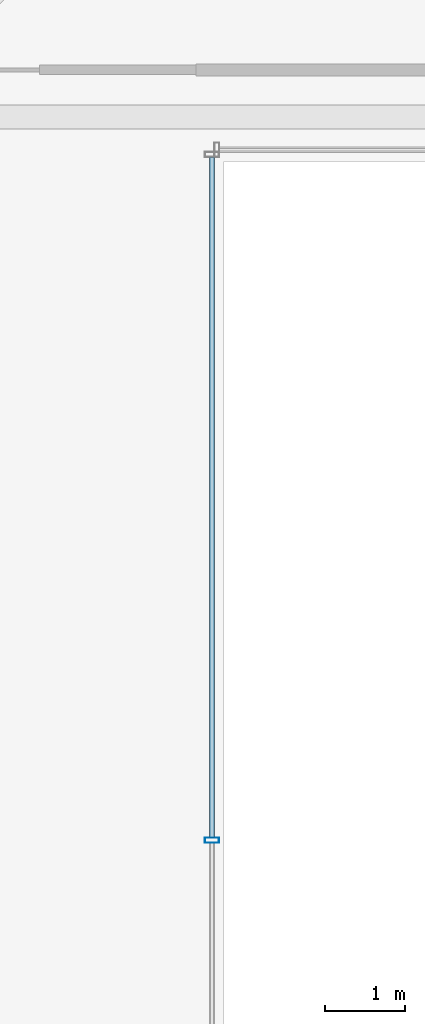
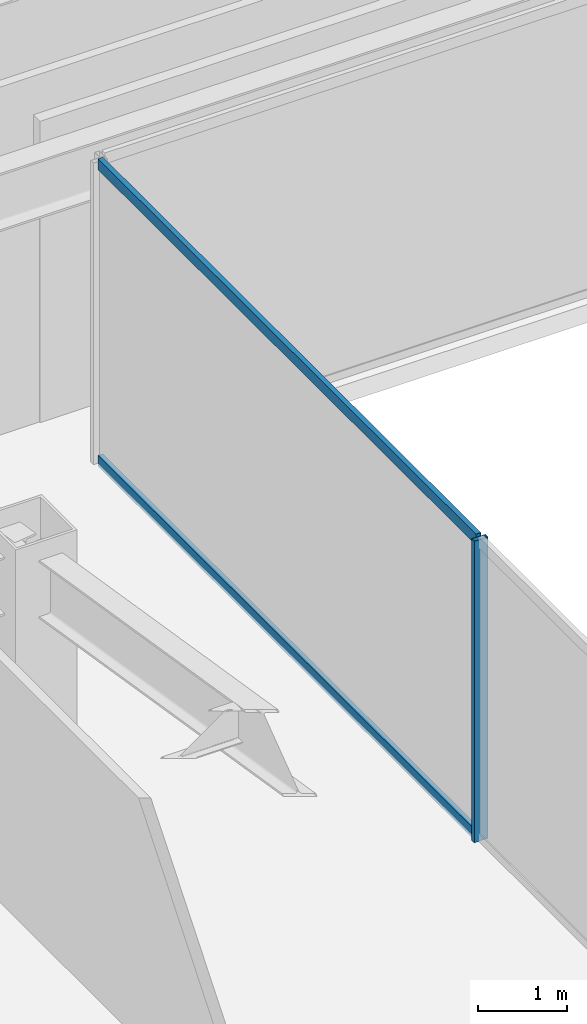
# One storey, part 14 of 47: 3 members, 1 element without a shape of its own.
"""IFC4 building model written with IfcOpenShell, lengths in metres."""

from ifc_helpers import new_model, si_unit, direction, frame, origin, origin_2d, place, context, subcontext, project, spatial, hollow_rectangle, extrude, material, material_profile, profile_set, type_object, element, aggregate, save


model = new_model("IFC4")

# Units and contexts
model_context = context("Model", 3, precision=1e-05, world=origin(), true_north=direction((0.0, 1.0)))
body_context = subcontext(model_context, "Body", "Model", "MODEL_VIEW")
ifc_project = project(units=[si_unit("LENGTHUNIT", "METRE"), si_unit("AREAUNIT", "SQUARE_METRE"), si_unit("VOLUMEUNIT", "CUBIC_METRE"), si_unit("PLANEANGLEUNIT", "RADIAN"), si_unit("MASSUNIT", "GRAM", prefix="KILO")], contexts=[model_context])

# Site, building, storey
site_placement = place(None, origin())
site = spatial("IfcSite", under=ifc_project, at=site_placement, CompositionType="ELEMENT")
building_placement = place(site_placement, origin())
building = spatial("IfcBuilding", under=site, at=building_placement, Name="Saevonmaru Cultural Tower", CompositionType="ELEMENT")
storey_placement = place(building_placement, frame((0.0, 0.0, 51.60009765625)))
storey = spatial("IfcBuildingStorey", under=building, at=storey_placement, Name="L10", CompositionType="ELEMENT", Elevation=51.60009765625)

# Curtain wall, members
ifc_material = material(Name="Satin Bronze Anodised Aluminium", Category="aluminium")
curtain_wall_type = type_object("IfcCurtainWallType", Name="CW-ATR-GLZ", PredefinedType="NOTDEFINED", material=ifc_material)
curtain_wall_placement = place(storey_placement, origin())
curtain_wall = element("IfcCurtainWall", 1, at=curtain_wall_placement, inside=storey, type_object=curtain_wall_type, Name="L10 Vertical Atrium Glazed Smoke Screen 4", PredefinedType="NOTDEFINED")
ifc_material_profile_1 = material_profile(ifc_material, hollow_rectangle(XDim=0.06494140625, YDim=0.179931640625, WallThickness=0.00390625, at=origin_2d()), Name="ALU-MULL-180x65x4")
ifc_profile_set_1 = profile_set([ifc_material_profile_1], Name="Satin Bronze Anodised Aluminium")
member_type_1 = type_object("IfcMemberType", Name="ML-CW-INT-180x65", PredefinedType="MULLION", material=ifc_profile_set_1)
member_1_placement = place(storey_placement, frame((24.050048828125, 29.5, 0.0), z_axis=(0.0, 0.0, 1.0), x_axis=(0.0, -1.0, 0.0)))
member_1 = element("IfcMember", 2, at=member_1_placement, type_object=member_type_1, Name="CW-ATR-L10-4 mullion 2", PredefinedType="MULLION", context=body_context, shape_type="SweptSolid", body=[
    extrude(hollow_rectangle(XDim=0.06494140625, YDim=0.179931640625, WallThickness=0.00390625, at=origin_2d()), origin(), (0.0, 0.0, 1.0), 4.14990234375),
])
ifc_material_profile_2 = material_profile(ifc_material, hollow_rectangle(XDim=0.06494140625, YDim=0.14990234375, WallThickness=0.00390625, at=origin_2d()), Name="ALU-TRAN-150x65x4")
ifc_profile_set_2 = profile_set([ifc_material_profile_2], Name="Satin Bronze Anodised Aluminium")
member_type_2 = type_object("IfcMemberType", Name="TR-CW-INT-150x65", PredefinedType="USERDEFINED", material=ifc_profile_set_2)
member_2_placement = place(storey_placement, frame((24.050048828125, 38.0576171875, 0.032470703125), z_axis=(0.0, -1.0, 0.0), x_axis=(1.0, 0.0, 0.0)))
member_2 = element("IfcMember", 3, at=member_2_placement, type_object=member_type_2, Name="CW-ATR-L10-4 transom 1.1", ObjectType="TRANSOM", PredefinedType="USERDEFINED", context=body_context, shape_type="SweptSolid", body=[
    extrude(hollow_rectangle(XDim=0.06494140625, YDim=0.14990234375, WallThickness=0.00390625, at=origin_2d()), origin(), (0.0, 0.0, 1.0), 8.525146484375),
])
member_3_placement = place(storey_placement, frame((24.050048828125, 38.0576171875, 4.117431640625), z_axis=(0.0, -1.0, 0.0), x_axis=(1.0, 0.0, 0.0)))
member_3 = element("IfcMember", 4, at=member_3_placement, type_object=member_type_2, Name="CW-ATR-L10-4 transom 1.2", ObjectType="TRANSOM", PredefinedType="USERDEFINED", context=body_context, shape_type="SweptSolid", body=[
    extrude(hollow_rectangle(XDim=0.06494140625, YDim=0.14990234375, WallThickness=0.00390625, at=origin_2d()), origin(), (0.0, 0.0, 1.0), 8.525146484375),
])
aggregate(curtain_wall, [member_1, member_2, member_3])

save(model, "model.ifc")
